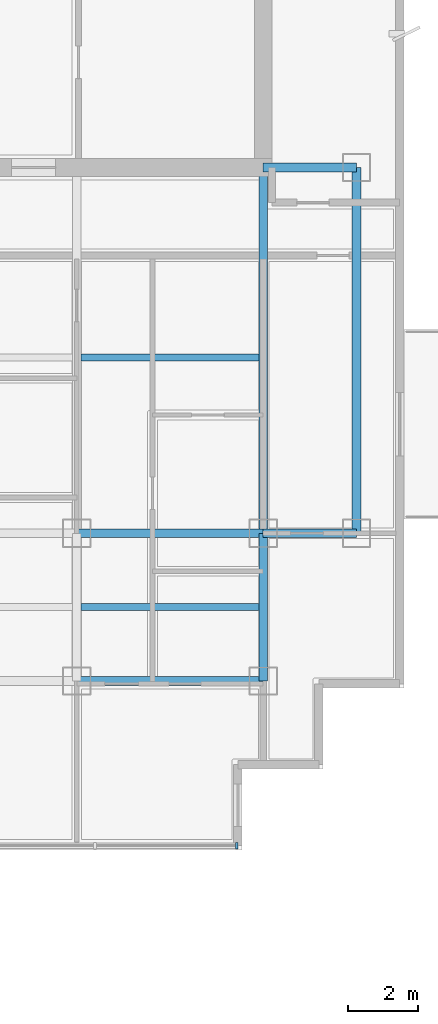
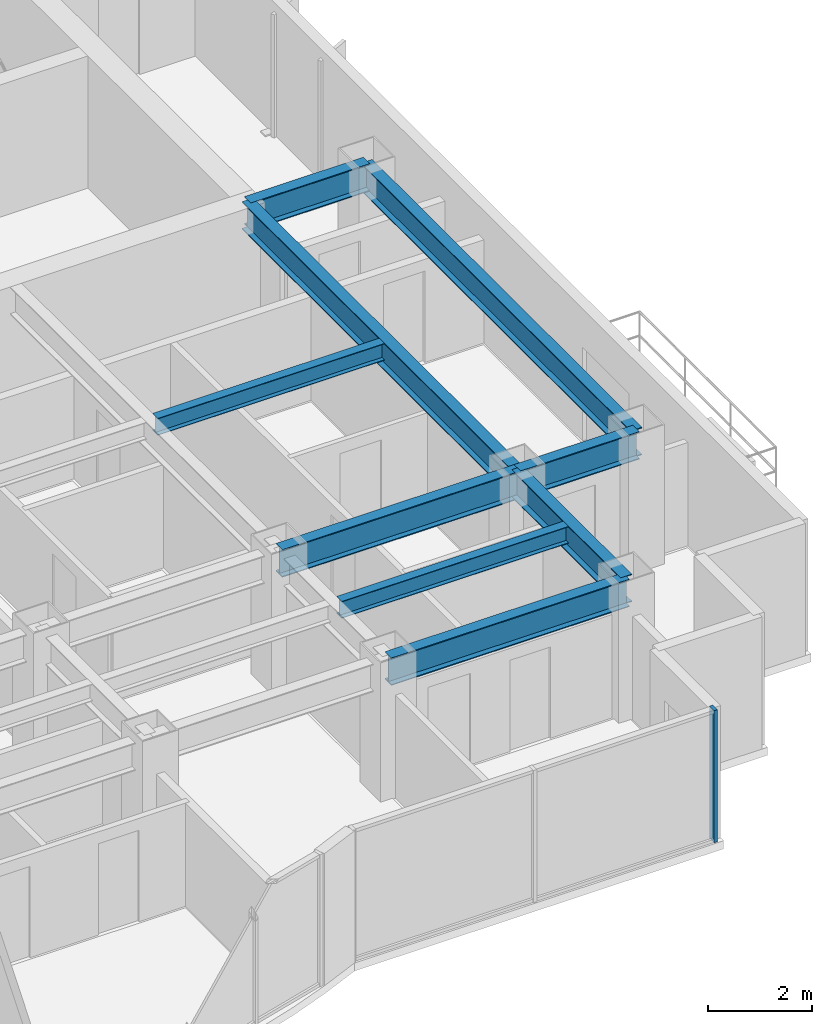
# One storey, part 4 of 11: 9 beams, 1 member, 1 element without a shape of its own.
"""IFC4 building model written with IfcOpenShell, lengths in metres."""

from ifc_helpers import new_model, si_unit, direction, frame, origin, origin_2d, place, context, subcontext, project, spatial, rectangle, i_section, extrude, source, transform, mapped, material, layer, layer_set, material_profile, profile_set, type_object, element, aggregate, save


model = new_model("IFC4")

# Units and contexts
model_context = context("Model", 3, precision=1e-05, world=origin(), true_north=direction((0.0, 1.0)))
body_context = subcontext(model_context, "Body", "Model", "MODEL_VIEW")
ifc_project = project(units=[si_unit("LENGTHUNIT", "METRE"), si_unit("AREAUNIT", "SQUARE_METRE"), si_unit("VOLUMEUNIT", "CUBIC_METRE"), si_unit("PLANEANGLEUNIT", "RADIAN"), si_unit("MASSUNIT", "GRAM", prefix="KILO")], contexts=[model_context])

# Site, building, storey
site_placement = place(None, origin())
site = spatial("IfcSite", under=ifc_project, at=site_placement, CompositionType="ELEMENT")
building_placement = place(site_placement, origin())
building = spatial("IfcBuilding", under=site, at=building_placement, Name="Qianlan Lanfeng Residences", CompositionType="ELEMENT")
storey_placement = place(building_placement, frame((0.0, 0.0, 203.300048828125)))
storey = spatial("IfcBuildingStorey", under=building, at=storey_placement, Name="L55", CompositionType="ELEMENT", Elevation=203.300048828125)

# Beams
ifc_material_1 = material(Name="Steel SN490B", Category="steel")
ifc_material_profile_1 = material_profile(ifc_material_1, i_section(OverallWidth=0.25, OverallDepth=0.64990234375, WebThickness=0.012939453125, FlangeThickness=0.02197265625, at=origin_2d()), Name="H 650x250x13x22")
ifc_profile_set_1 = profile_set([ifc_material_profile_1], Name="Steel SN490B")
beam_type_1 = type_object("IfcBeamType", Name="G-650", PredefinedType="BEAM", material=ifc_profile_set_1)
for number, where, z_axis, x_axis, name in (
    (1, (37.10009765625, 10.60009765625, 2.784912109375), (1.0, 0.0, 0.0), (0.0, 1.0, 0.0), "Structural beam G-650"),
    (2, (37.10009765625, 14.800048828125, 2.784912109375), (1.0, 0.0, 0.0), (0.0, 1.0, 0.0), "Structural beam G-650"),
):
    element("IfcBeam", number, at=place(storey_placement, frame(where, z_axis=z_axis, x_axis=x_axis)), inside=storey, type_object=beam_type_1, Name=name, PredefinedType="BEAM", context=body_context, shape_type="SweptSolid", body=[
        extrude(i_section(OverallWidth=0.25, OverallDepth=0.64990234375, WebThickness=0.012939453125, FlangeThickness=0.02197265625, at=origin_2d()), origin(), (0.0, 0.0, 1.0), 5.2998046875),
    ])
for number, where, z_axis, x_axis, name in (
    (3, (42.39990234375, 14.800048828125, 2.784912109375), (1.0, 0.0, 0.0), (0.0, 1.0, 0.0), "Structural beam G-650"),
    (4, (42.39990234375, 25.199951171875, 2.784912109375), (1.0, 0.0, 0.0), (0.0, 1.0, 0.0), "Structural beam G-650"),
):
    element("IfcBeam", number, at=place(storey_placement, frame(where, z_axis=z_axis, x_axis=x_axis)), inside=storey, type_object=beam_type_1, Name=name, PredefinedType="BEAM", context=body_context, shape_type="SweptSolid", body=[
        extrude(i_section(OverallWidth=0.25, OverallDepth=0.64990234375, WebThickness=0.012939453125, FlangeThickness=0.02197265625, at=origin_2d()), origin(), (0.0, 0.0, 1.0), 2.650146484375),
    ])
beam_1_placement = place(storey_placement, frame((42.39990234375, 10.60009765625, 2.784912109375), z_axis=(0.0, 1.0, 0.0), x_axis=(-1.0, 0.0, 0.0)))
element("IfcBeam", 5, at=beam_1_placement, inside=storey, type_object=beam_type_1, Name="Structural beam G-650", PredefinedType="BEAM", context=body_context, shape_type="SweptSolid", body=[
    extrude(i_section(OverallWidth=0.25, OverallDepth=0.64990234375, WebThickness=0.012939453125, FlangeThickness=0.02197265625, at=origin_2d()), origin(), (0.0, 0.0, 1.0), 4.199951171875),
])
beam_2_placement = place(storey_placement, frame((42.39990234375, 14.800048828125, 2.784912109375), z_axis=(0.0, 1.0, 0.0), x_axis=(-1.0, 0.0, 0.0)))
element("IfcBeam", 6, at=beam_2_placement, inside=storey, type_object=beam_type_1, Name="Structural beam G-650", PredefinedType="BEAM", context=body_context, shape_type="SweptSolid", body=[
    extrude(i_section(OverallWidth=0.25, OverallDepth=0.64990234375, WebThickness=0.012939453125, FlangeThickness=0.02197265625, at=origin_2d()), origin(), (0.0, 0.0, 1.0), 10.39990234375),
])
ifc_material_profile_2 = material_profile(ifc_material_1, i_section(OverallWidth=0.199951171875, OverallDepth=0.39990234375, WebThickness=0.008056640625, FlangeThickness=0.012939453125, at=origin_2d()), Name="H 400x200x8x13")
ifc_profile_set_2 = profile_set([ifc_material_profile_2], Name="Steel SN490B")
beam_type_2 = type_object("IfcBeamType", Name="J-400", PredefinedType="JOIST", material=ifc_profile_set_2)
for number, where, z_axis, x_axis, name in (
    (7, (37.22509765625, 12.699951171875, 2.909912109375), (1.0, 0.0, 0.0), (0.0, 1.0, 0.0), "Structural beam J-400"),
    (8, (37.22509765625, 19.800048828125, 2.909912109375), (1.0, 0.0, 0.0), (0.0, 1.0, 0.0), "Structural beam J-400"),
):
    element("IfcBeam", number, at=place(storey_placement, frame(where, z_axis=z_axis, x_axis=x_axis)), inside=storey, type_object=beam_type_2, Name=name, PredefinedType="JOIST", context=body_context, shape_type="SweptSolid", body=[
        extrude(i_section(OverallWidth=0.199951171875, OverallDepth=0.39990234375, WebThickness=0.008056640625, FlangeThickness=0.012939453125, at=origin_2d()), origin(), (0.0, 0.0, 1.0), 5.0498046875),
    ])
ifc_material_profile_3 = material_profile(ifc_material_1, i_section(OverallWidth=0.25, OverallDepth=0.64990234375, WebThickness=0.012939453125, FlangeThickness=0.02197265625, at=origin_2d()), Name="H 650x250x13x22")
ifc_profile_set_3 = profile_set([ifc_material_profile_3], Name="Steel SN490B")
beam_type_3 = type_object("IfcBeamType", Name="SG-650", PredefinedType="SPANDREL", material=ifc_profile_set_3)
beam_3_placement = place(storey_placement, frame((45.050048828125, 14.800048828125, 2.764892578125), z_axis=(0.0, 1.0, 0.0), x_axis=(-1.0, 0.0, 0.0)))
element("IfcBeam", 9, at=beam_3_placement, inside=storey, type_object=beam_type_3, Name="Structural beam SG-650", PredefinedType="SPANDREL", context=body_context, shape_type="SweptSolid", body=[
    extrude(i_section(OverallWidth=0.25, OverallDepth=0.64990234375, WebThickness=0.012939453125, FlangeThickness=0.02197265625, at=origin_2d()), origin(), (0.0, 0.0, 1.0), 10.39990234375),
])

# Curtain wall, member
ifc_material_2 = material(Name="Anodised Bronze Aluminium 6063-T6", Category="aluminium")
ifc_layer = layer(ifc_material_2, 0.219970703125)
ifc_layer_set = layer_set([ifc_layer], Name="Anodised Bronze Aluminium 6063-T6")
curtain_wall_type = type_object("IfcCurtainWallType", Name="CW-05", PredefinedType="NOTDEFINED", material=ifc_layer_set)
curtain_wall_placement = place(storey_placement, origin())
curtain_wall = element("IfcCurtainWall", 10, at=curtain_wall_placement, inside=storey, type_object=curtain_wall_type, Name="L55 Unitised Curtain Wall CWR-L55-04 (CW-05)", PredefinedType="NOTDEFINED")
ifc_material_profile_4 = material_profile(ifc_material_2, rectangle(XDim=0.074951171875, YDim=0.179931640625, at=origin_2d()), Name="ALU MULLION 75x180")
ifc_profile_set_4 = profile_set([ifc_material_profile_4], Name="Anodised Bronze Aluminium 6063-T6")
member_type = type_object("IfcMemberType", Name="CWM-180", PredefinedType="MULLION", material=ifc_profile_set_4)
shared_shape = source(origin(), body_context, "Body", "SweptSolid", [
    extrude(rectangle(XDim=0.074951171875, YDim=0.179931640625, at=origin_2d()), origin(), (0.0, 0.0, 1.0), 3.10986328125),
])
member_placement = place(storey_placement, frame((41.642578125, 5.919921875, 0.0), z_axis=(0.0, 0.0, 1.0), x_axis=(1.0, 0.0, 0.0)))
member = element("IfcMember", 11, at=member_placement, type_object=member_type, Name="CWR-L55-04 Mullion 3", PredefinedType="MULLION", context=body_context, shape_type="MappedRepresentation", body=[
    mapped(shared_shape, transform((0.0, 0.0, 0.0), scale=1.0)),
])
aggregate(curtain_wall, [member])

save(model, "model.ifc")
